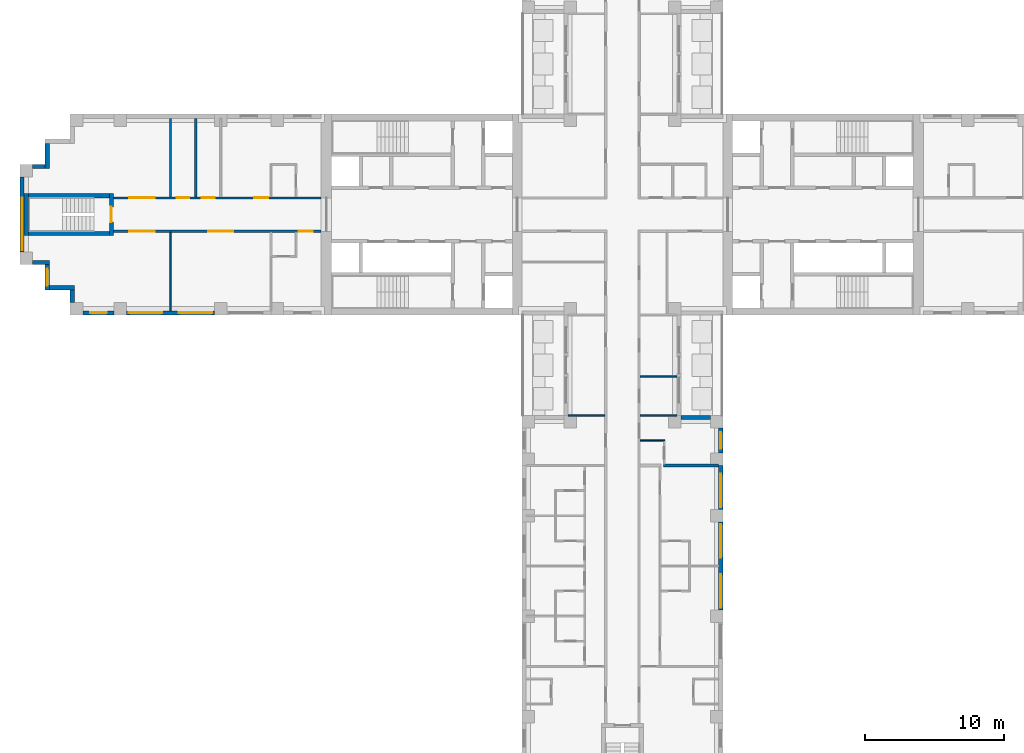
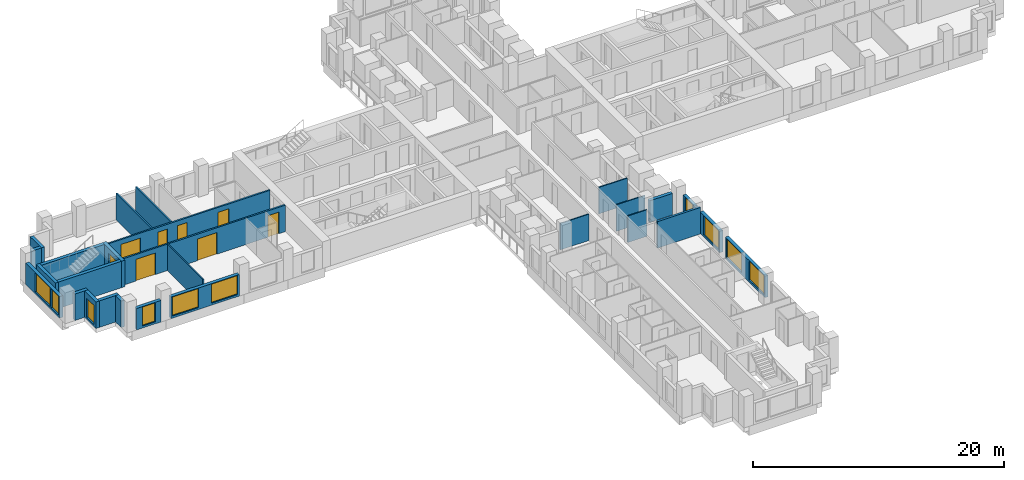
# One storey, part 5 of 13: 27 walls, 10 windows, 8 doors, 18 openings.
"""IFC4 building model written with IfcOpenShell, lengths in metres."""

import ifcopenshell
import ifcopenshell.guid

model = None  # the IFC model being written
_history = None  # IfcOwnerHistory: only IFC2X3 demands one
_inside = {}  # id of a spatial element -> (the spatial element, [elements in it])
_under = {}  # id of a project, library or spatial element -> (it, [spatial elements below it])
_declared = {}  # id of a project -> (the project, [libraries it declares])
_typed = {}  # id of a type object -> (the type object, [elements of that type])
_made_of = {}  # id of a material, layer set ... -> (it, [elements and type objects made of it])


def new_model(schema):
    """Start an empty IFC model of exactly this schema.

    Asked for "IFC4X3", IfcOpenShell would pick the latest addendum, in which some entities
    have other attributes; the version numbers below select the first issue.
    IFC2X3 requires an IfcOwnerHistory on every rooted entity: one is made here for all.
    """
    global model, _history
    if schema == "IFC4X3":
        model = ifcopenshell.file(schema_version=(4, 3, 0, 0))
    else:
        model = ifcopenshell.file(schema=schema)
    _inside.clear()
    _under.clear()
    _declared.clear()
    _typed.clear()
    _made_of.clear()
    _history = None
    if model.schema == "IFC2X3":
        org = make("IfcOrganization", Name="unknown")
        user = make(
            "IfcPersonAndOrganization",
            ThePerson=make("IfcPerson", FamilyName="unknown"),
            TheOrganization=org,
        )
        app = make(
            "IfcApplication",
            ApplicationDeveloper=org,
            Version="unknown",
            ApplicationFullName="unknown",
            ApplicationIdentifier="unknown",
        )
        _history = make(
            "IfcOwnerHistory",
            OwningUser=user,
            OwningApplication=app,
            ChangeAction="ADDED",
            CreationDate=0,
        )
    return model


def make(cls, **values):
    """One entity of the class cls with the attributes given. An attribute that is None is left unset."""
    return model.create_entity(
        cls, **{name: value for name, value in values.items() if value is not None}
    )


def rooted(cls, **values):
    """An entity with a GlobalId (a new one), such as an element, a storey or a relation."""
    return make(cls, GlobalId=ifcopenshell.guid.new(), OwnerHistory=_history, **values)


def si_unit(unit_type, name, prefix=None):
    """IfcSIUnit, for example si_unit("LENGTHUNIT", "METRE", prefix="MILLI")."""
    return make("IfcSIUnit", UnitType=unit_type, Prefix=prefix, Name=name)


def assignment(units):
    """IfcUnitAssignment: the units of a project."""
    return None if units is None else make("IfcUnitAssignment", Units=units)


def point(xyz):
    """IfcCartesianPoint."""
    return None if xyz is None else make("IfcCartesianPoint", Coordinates=xyz)


def direction(xyz):
    """IfcDirection."""
    return None if xyz is None else make("IfcDirection", DirectionRatios=xyz)


def frame(location, z_axis=None, x_axis=None):
    """IfcAxis2Placement3D, a coordinate frame: its origin and axes. An axis left out is left unset."""
    return make(
        "IfcAxis2Placement3D",
        Location=point(location),
        Axis=direction(z_axis),
        RefDirection=direction(x_axis),
    )


def frame_2d(location, x_axis=None):
    """IfcAxis2Placement2D, a coordinate frame in the plane: its origin and x axis."""
    return make(
        "IfcAxis2Placement2D", Location=point(location), RefDirection=direction(x_axis)
    )


def origin():
    """The frame at (0, 0, 0) with its axes left unset."""
    return frame((0.0, 0.0, 0.0))


def place(relative_to, where):
    """IfcLocalPlacement: puts the frame where relative to a parent placement (None: the world)."""
    return make(
        "IfcLocalPlacement", PlacementRelTo=relative_to, RelativePlacement=where
    )


def context(
    kind, dimensions, precision=None, world=None, true_north=None, identifier=None
):
    """IfcGeometricRepresentationContext, for example the 3D "Model" context."""
    return make(
        "IfcGeometricRepresentationContext",
        ContextIdentifier=identifier,
        ContextType=kind,
        CoordinateSpaceDimension=dimensions,
        Precision=precision,
        WorldCoordinateSystem=world,
        TrueNorth=true_north,
    )


def subcontext(parent, identifier, kind, view, scale=None):
    """IfcGeometricRepresentationSubContext, for example "Body" below "Model"."""
    return make(
        "IfcGeometricRepresentationSubContext",
        ContextIdentifier=identifier,
        ContextType=kind,
        ParentContext=parent,
        TargetScale=scale,
        TargetView=view,
    )


def project(units=None, contexts=None):
    """IfcProject with its units and contexts."""
    return rooted(
        "IfcProject",
        Name="project",
        RepresentationContexts=contexts,
        UnitsInContext=assignment(units),
    )


def spatial(cls, under=None, at=None, **own):
    """A site, building, storey or space (cls), placed at a placement, below another one or the project."""
    s = rooted(cls, ObjectPlacement=at, **own)
    if under is not None:
        _under.setdefault(under.id(), (under, []))[1].append(s)
    return s


def profile(cls, at=None, kind="AREA", **sizes):
    """A parametric profile (cls). Its sizes go by their IFC names, for example OverallWidth=200.0."""
    return make(cls, ProfileType=kind, Position=at, **sizes)


def rectangle(**sizes):
    """IfcRectangleProfileDef."""
    return profile("IfcRectangleProfileDef", **sizes)


def extrude(swept, where, along, depth):
    """IfcExtrudedAreaSolid: the profile swept, set in the frame where, extruded along a direction by depth."""
    return make(
        "IfcExtrudedAreaSolid",
        SweptArea=swept,
        Position=where,
        ExtrudedDirection=direction(along),
        Depth=depth,
    )


def shape(context_of_items, identifier, shape_type, items):
    """IfcShapeRepresentation: the items that make up one representation, for example the "Body"."""
    return make(
        "IfcShapeRepresentation",
        ContextOfItems=context_of_items,
        RepresentationIdentifier=identifier,
        RepresentationType=shape_type,
        Items=items,
    )


def material(Name=None, Category=None):
    """IfcMaterial."""
    return make("IfcMaterial", Name=Name, Category=Category)


def layer(
    of_material, thickness, ventilated=None, Name=None, Category=None, Priority=None
):
    """IfcMaterialLayer: one layer of a wall or slab, of a material (None: an air gap)."""
    return make(
        "IfcMaterialLayer",
        Material=of_material,
        LayerThickness=thickness,
        IsVentilated=ventilated,
        Name=Name,
        Category=Category,
        Priority=Priority,
    )


def layer_set(layers, Name=None):
    """IfcMaterialLayerSet."""
    return make("IfcMaterialLayerSet", MaterialLayers=layers, LayerSetName=Name)


def made_of(thing, what):
    """Note that an element or type object is made of a material, layer set ...; save() writes the relation."""
    if what is not None:
        _made_of.setdefault(what.id(), (what, []))[1].append(thing)
    return thing


def type_object(cls, material=None, **own):
    """A type object (cls), such as IfcWallType, which elements share."""
    return made_of(rooted(cls, **own), material)


def element(
    cls,
    number,
    at=None,
    inside=None,
    cuts=None,
    type_object=None,
    material=None,
    context=None,
    identifier="Body",
    shape_type=None,
    held_by="IfcProductDefinitionShape",
    body=None,
    shapes=None,
    **own,
):
    """One element of the class cls, such as IfcWall. Its Tag is "e" and its number.

    at: its placement. inside: the storey or other place that contains it. cuts: it is an
    opening in that element (IfcRelVoidsElement). A single representation is given by context,
    identifier, shape_type and body (its items); several are given by shapes. held_by: the class
    of the entity that holds the representations. save() writes the other relations.
    """
    e = rooted(cls, Tag="e%d" % number, ObjectPlacement=at, **own)
    if body is not None:
        shapes = [shape(context, identifier, shape_type, body)]
    if shapes is not None:
        e.Representation = make(held_by, Representations=shapes)
    if inside is not None:
        _inside.setdefault(inside.id(), (inside, []))[1].append(e)
    if cuts is not None:
        rooted(
            "IfcRelVoidsElement", RelatingBuildingElement=cuts, RelatedOpeningElement=e
        )
    if type_object is not None:
        _typed.setdefault(type_object.id(), (type_object, []))[1].append(e)
    return made_of(e, material)


def fill(opening, filler):
    """IfcRelFillsElement: the door or window that sits in an opening."""
    return rooted(
        "IfcRelFillsElement",
        RelatingOpeningElement=opening,
        RelatedBuildingElement=filler,
    )


def aggregate(whole, parts):
    """IfcRelAggregates: a whole, such as a stair, and the parts it consists of."""
    return rooted("IfcRelAggregates", RelatingObject=whole, RelatedObjects=parts)


def save(model, path):
    """Write the relations noted so far, then the file.

    IfcRelAggregates (storeys below a building ...), IfcRelContainedInSpatialStructure (elements
    in a storey), IfcRelDefinesByType, IfcRelAssociatesMaterial and IfcRelDeclares: one each for
    every whole, place, type object, material and project.
    """
    for whole, parts in _under.values():
        aggregate(whole, parts)
    for where, things in _inside.values():
        rooted(
            "IfcRelContainedInSpatialStructure",
            RelatedElements=things,
            RelatingStructure=where,
        )
    for kind, things in _typed.values():
        rooted("IfcRelDefinesByType", RelatedObjects=things, RelatingType=kind)
    for what, things in _made_of.values():
        rooted("IfcRelAssociatesMaterial", RelatedObjects=things, RelatingMaterial=what)
    for by, libraries in _declared.values():
        rooted("IfcRelDeclares", RelatingContext=by, RelatedDefinitions=libraries)
    model.write(path)


model = new_model("IFC4")

# Units and contexts
model_context = context("Model", 3, precision=1e-05, world=origin(), true_north=direction((0.0, 1.0)))
body_context = subcontext(model_context, "Body", "Model", "MODEL_VIEW")
ifc_project = project(units=[si_unit("LENGTHUNIT", "METRE"), si_unit("AREAUNIT", "SQUARE_METRE"), si_unit("VOLUMEUNIT", "CUBIC_METRE"), si_unit("PLANEANGLEUNIT", "RADIAN"), si_unit("MASSUNIT", "GRAM", prefix="KILO")], contexts=[model_context])

# Site, building, storey
site_placement = place(None, origin())
site = spatial("IfcSite", under=ifc_project, at=site_placement, CompositionType="ELEMENT")
building_placement = place(site_placement, origin())
building = spatial("IfcBuilding", under=site, at=building_placement, Name="Fustian Cross Tower", CompositionType="ELEMENT")
storey_placement = place(building_placement, frame((0.0, 0.0, 87.89990234375)))
storey = spatial("IfcBuildingStorey", under=building, at=storey_placement, Name="L27", CompositionType="ELEMENT", Elevation=87.89990234375)

# Wall, openings, doors
ifc_material_1 = material(Name="Plasterboard on steel stud", Category="steel")
ifc_layer_1 = layer(ifc_material_1, 0.14990234375)
ifc_layer_set_1 = layer_set([ifc_layer_1], Name="Plasterboard on steel stud")
wall_type_1 = type_object("IfcWallType", Name="COMPARTMENT WALL 150 EI 60", PredefinedType="PARTITIONING", material=ifc_layer_set_1)
wall_1_placement = place(storey_placement, frame((-36.5, -1.199951171875, 0.0), z_axis=(0.0, 0.0, 1.0), x_axis=(1.0, 0.0, 0.0)))
wall_1 = element("IfcWall", 1, at=wall_1_placement, inside=storey, type_object=wall_type_1, Name="Partition 1", PredefinedType="PARTITIONING", context=body_context, shape_type="SweptSolid", body=[
    extrude(rectangle(XDim=14.89990234375, YDim=0.14990234375, at=frame_2d((7.449951171875, 0.0))), origin(), (0.0, 0.0, 1.0), 2.5751953125),
])
opening_1_placement = place(wall_1_placement, frame((13.300048828125, 0.0, 0.0)))
opening_1 = element("IfcOpeningElement", 2, at=opening_1_placement, cuts=wall_1, Name="Opening D13024", PredefinedType="OPENING", context=body_context, shape_type="SweptSolid", body=[
    extrude(rectangle(XDim=1.0, YDim=2.10009765625, at=frame_2d((0.5, 1.050048828125))), frame((0.0, 0.0849609375, 0.0), z_axis=(0.0, -1.0, 0.0), x_axis=(1.0, 0.0, 0.0)), (0.0, 0.0, 1.0), 0.169921875),
])
opening_2_placement = place(wall_1_placement, frame((6.800048828125, 0.0, 0.0)))
opening_2 = element("IfcOpeningElement", 3, at=opening_2_placement, cuts=wall_1, Name="Opening D13025", PredefinedType="OPENING", context=body_context, shape_type="SweptSolid", body=[
    extrude(rectangle(XDim=1.800048828125, YDim=2.10009765625, at=frame_2d((0.89990234375, 1.050048828125))), frame((0.0, 0.0849609375, 0.0), z_axis=(0.0, -1.0, 0.0), x_axis=(1.0, 0.0, 0.0)), (0.0, 0.0, 1.0), 0.169921875),
])
opening_3_placement = place(wall_1_placement, frame((1.14990234375, 0.0, 0.0)))
opening_3 = element("IfcOpeningElement", 4, at=opening_3_placement, cuts=wall_1, Name="Opening D13026", PredefinedType="OPENING", context=body_context, shape_type="SweptSolid", body=[
    extrude(rectangle(XDim=1.800048828125, YDim=2.10009765625, at=frame_2d((0.89990234375, 1.050048828125))), frame((0.0, 0.0849609375, 0.0), z_axis=(0.0, -1.0, 0.0), x_axis=(1.0, 0.0, 0.0)), (0.0, 0.0, 1.0), 0.169921875),
])
ifc_material_2 = material(Name="Timber fire door set", Category="wood")
door_type_1 = type_object("IfcDoorType", Name="FIRE DOUBLE DOOR 1800 FD30S", OperationType="DOUBLE_DOOR_DOUBLE_SWING", PredefinedType="DOOR", material=ifc_material_2)
door_1_placement = place(opening_2_placement, origin())
door_1 = element("IfcDoor", 5, at=door_1_placement, inside=storey, type_object=door_type_1, Name="Door D13025", OperationType="DOUBLE_DOOR_DOUBLE_SWING", OverallHeight=2.10009765625, OverallWidth=1.800048828125, PredefinedType="DOOR", context=body_context, shape_type="SweptSolid", body=[
    extrude(rectangle(XDim=1.800048828125, YDim=2.10009765625, at=frame_2d((0.89990234375, 1.050048828125))), frame((0.0, 0.02490234375, 0.0), z_axis=(0.0, -1.0, 0.0), x_axis=(1.0, 0.0, 0.0)), (0.0, 0.0, 1.0), 0.050048828125),
])
fill(opening_2, door_1)
door_2_placement = place(opening_3_placement, origin())
door_2 = element("IfcDoor", 6, at=door_2_placement, inside=storey, type_object=door_type_1, Name="Door D13026", OperationType="DOUBLE_DOOR_DOUBLE_SWING", OverallHeight=2.10009765625, OverallWidth=1.800048828125, PredefinedType="DOOR", context=body_context, shape_type="SweptSolid", body=[
    extrude(rectangle(XDim=1.800048828125, YDim=2.10009765625, at=frame_2d((0.89990234375, 1.050048828125))), frame((0.0, 0.02490234375, 0.0), z_axis=(0.0, -1.0, 0.0), x_axis=(1.0, 0.0, 0.0)), (0.0, 0.0, 1.0), 0.050048828125),
])
fill(opening_3, door_2)
ifc_material_3 = material(Name="Timber fire door set", Category="wood")
door_type_2 = type_object("IfcDoorType", Name="FIRE SWING DOOR 1000 FD30S", OperationType="SINGLE_SWING_LEFT", PredefinedType="DOOR", material=ifc_material_3)
door_3_placement = place(opening_1_placement, frame((1.0, 0.0, 0.0), z_axis=(0.0, 0.0, 1.0), x_axis=(-1.0, 0.0, 0.0)))
door_3 = element("IfcDoor", 7, at=door_3_placement, inside=storey, type_object=door_type_2, Name="Door D13024", OperationType="SINGLE_SWING_RIGHT", OverallHeight=2.10009765625, OverallWidth=1.0, PredefinedType="DOOR", context=body_context, shape_type="SweptSolid", body=[
    extrude(rectangle(XDim=1.0, YDim=2.10009765625, at=frame_2d((0.5, 1.050048828125))), frame((0.0, 0.02490234375, 0.0), z_axis=(0.0, -1.0, 0.0), x_axis=(1.0, 0.0, 0.0)), (0.0, 0.0, 1.0), 0.050048828125),
])
fill(opening_1, door_3)

wall_2_placement = place(storey_placement, frame((-36.5, 1.199951171875, 0.0), z_axis=(0.0, 0.0, 1.0), x_axis=(1.0, 0.0, 0.0)))
wall_2 = element("IfcWall", 8, at=wall_2_placement, inside=storey, type_object=wall_type_1, Name="Partition 2", PredefinedType="PARTITIONING", context=body_context, shape_type="SweptSolid", body=[
    extrude(rectangle(XDim=14.89990234375, YDim=0.14990234375, at=frame_2d((7.449951171875, 0.0))), origin(), (0.0, 0.0, 1.0), 2.5751953125),
])
opening_4_placement = place(wall_2_placement, frame((10.10009765625, 0.0, 0.0)))
opening_4 = element("IfcOpeningElement", 9, at=opening_4_placement, cuts=wall_2, Name="Opening D13028", PredefinedType="OPENING", context=body_context, shape_type="SweptSolid", body=[
    extrude(rectangle(XDim=1.0, YDim=2.10009765625, at=frame_2d((0.5, 1.050048828125))), frame((0.0, 0.0849609375, 0.0), z_axis=(0.0, -1.0, 0.0), x_axis=(1.0, 0.0, 0.0)), (0.0, 0.0, 1.0), 0.169921875),
])
opening_5_placement = place(wall_2_placement, frame((6.35009765625, 0.0, 0.0)))
opening_5 = element("IfcOpeningElement", 10, at=opening_5_placement, cuts=wall_2, Name="Opening D13029", PredefinedType="OPENING", context=body_context, shape_type="SweptSolid", body=[
    extrude(rectangle(XDim=0.89990234375, YDim=2.10009765625, at=frame_2d((0.449951171875, 1.050048828125))), frame((0.0, 0.0849609375, 0.0), z_axis=(0.0, -1.0, 0.0), x_axis=(1.0, 0.0, 0.0)), (0.0, 0.0, 1.0), 0.169921875),
])
opening_6_placement = place(wall_2_placement, frame((4.550048828125, 0.0, 0.0)))
opening_6 = element("IfcOpeningElement", 11, at=opening_6_placement, cuts=wall_2, Name="Opening D13030", PredefinedType="OPENING", context=body_context, shape_type="SweptSolid", body=[
    extrude(rectangle(XDim=0.89990234375, YDim=2.10009765625, at=frame_2d((0.449951171875, 1.050048828125))), frame((0.0, 0.0849609375, 0.0), z_axis=(0.0, -1.0, 0.0), x_axis=(1.0, 0.0, 0.0)), (0.0, 0.0, 1.0), 0.169921875),
])
opening_7_placement = place(wall_2_placement, frame((1.14990234375, 0.0, 0.0)))
opening_7 = element("IfcOpeningElement", 12, at=opening_7_placement, cuts=wall_2, Name="Opening D13031", PredefinedType="OPENING", context=body_context, shape_type="SweptSolid", body=[
    extrude(rectangle(XDim=1.800048828125, YDim=2.10009765625, at=frame_2d((0.89990234375, 1.050048828125))), frame((0.0, 0.0849609375, 0.0), z_axis=(0.0, -1.0, 0.0), x_axis=(1.0, 0.0, 0.0)), (0.0, 0.0, 1.0), 0.169921875),
])
door_4_placement = place(opening_7_placement, frame((1.800048828125, 0.0, 0.0), z_axis=(0.0, 0.0, 1.0), x_axis=(-1.0, 0.0, 0.0)))
door_4 = element("IfcDoor", 13, at=door_4_placement, inside=storey, type_object=door_type_1, Name="Door D13031", OperationType="DOUBLE_DOOR_DOUBLE_SWING", OverallHeight=2.10009765625, OverallWidth=1.800048828125, PredefinedType="DOOR", context=body_context, shape_type="SweptSolid", body=[
    extrude(rectangle(XDim=1.800048828125, YDim=2.10009765625, at=frame_2d((0.89990234375, 1.050048828125))), frame((0.0, 0.02490234375, 0.0), z_axis=(0.0, -1.0, 0.0), x_axis=(1.0, 0.0, 0.0)), (0.0, 0.0, 1.0), 0.050048828125),
])
fill(opening_7, door_4)
door_5_placement = place(opening_4_placement, origin())
door_5 = element("IfcDoor", 14, at=door_5_placement, inside=storey, type_object=door_type_2, Name="Door D13028", OperationType="SINGLE_SWING_RIGHT", OverallHeight=2.10009765625, OverallWidth=1.0, PredefinedType="DOOR", context=body_context, shape_type="SweptSolid", body=[
    extrude(rectangle(XDim=1.0, YDim=2.10009765625, at=frame_2d((0.5, 1.050048828125))), frame((0.0, 0.02490234375, 0.0), z_axis=(0.0, -1.0, 0.0), x_axis=(1.0, 0.0, 0.0)), (0.0, 0.0, 1.0), 0.050048828125),
])
fill(opening_4, door_5)
ifc_material_4 = material(Name="Timber fire door set", Category="wood")
door_type_3 = type_object("IfcDoorType", Name="FIRE SWING DOOR 900 FD30S", OperationType="SINGLE_SWING_LEFT", PredefinedType="DOOR", material=ifc_material_4)
door_6_placement = place(opening_5_placement, origin())
door_6 = element("IfcDoor", 15, at=door_6_placement, inside=storey, type_object=door_type_3, Name="Door D13029", OperationType="SINGLE_SWING_RIGHT", OverallHeight=2.10009765625, OverallWidth=0.89990234375, PredefinedType="DOOR", context=body_context, shape_type="SweptSolid", body=[
    extrude(rectangle(XDim=0.89990234375, YDim=2.10009765625, at=frame_2d((0.449951171875, 1.050048828125))), frame((0.0, 0.02490234375, 0.0), z_axis=(0.0, -1.0, 0.0), x_axis=(1.0, 0.0, 0.0)), (0.0, 0.0, 1.0), 0.050048828125),
])
fill(opening_5, door_6)
door_7_placement = place(opening_6_placement, origin())
door_7 = element("IfcDoor", 16, at=door_7_placement, inside=storey, type_object=door_type_3, Name="Door D13030", OperationType="SINGLE_SWING_RIGHT", OverallHeight=2.10009765625, OverallWidth=0.89990234375, PredefinedType="DOOR", context=body_context, shape_type="SweptSolid", body=[
    extrude(rectangle(XDim=0.89990234375, YDim=2.10009765625, at=frame_2d((0.449951171875, 1.050048828125))), frame((0.0, 0.02490234375, 0.0), z_axis=(0.0, -1.0, 0.0), x_axis=(1.0, 0.0, 0.0)), (0.0, 0.0, 1.0), 0.050048828125),
])
fill(opening_6, door_7)

# Walls
for number, where, z_axis, x_axis, name in (
    (17, (-32.39990234375, 1.27490234375, 0.0), (0.0, 0.0, 1.0), (0.0, 1.0, 0.0), "Partition 4"),
    (18, (-30.60009765625, 1.27490234375, 0.0), (0.0, 0.0, 1.0), (0.0, 1.0, 0.0), "Partition 5"),
):
    element("IfcWall", number, at=place(storey_placement, frame(where, z_axis=z_axis, x_axis=x_axis)), inside=storey, type_object=wall_type_1, Name=name, PredefinedType="PARTITIONING", context=body_context, shape_type="SweptSolid", body=[
        extrude(rectangle(XDim=5.625, YDim=0.14990234375, at=frame_2d((2.8125, 0.0))), origin(), (0.0, 0.0, 1.0), 2.5751953125),
    ])
ifc_material_5 = material(Name="Plasterboard on steel stud", Category="steel")
ifc_layer_2 = layer(ifc_material_5, 0.10009765625)
ifc_layer_set_2 = layer_set([ifc_layer_2], Name="Plasterboard on steel stud")
wall_type_2 = type_object("IfcWallType", Name="PARTITION 100 STUD", PredefinedType="PARTITIONING", material=ifc_layer_set_2)
wall_3_placement = place(storey_placement, frame((-32.39990234375, -6.89990234375, 0.0), z_axis=(0.0, 0.0, 1.0), x_axis=(0.0, 1.0, 0.0)))
element("IfcWall", 19, at=wall_3_placement, inside=storey, type_object=wall_type_2, Name="Partition 3", PredefinedType="PARTITIONING", context=body_context, shape_type="SweptSolid", body=[
    extrude(rectangle(XDim=5.625, YDim=0.10009765625, at=frame_2d((2.8125, 0.0))), origin(), (0.0, 0.0, 1.0), 2.5751953125),
])
wall_4_placement = place(storey_placement, frame((-3.89990234375, -14.39990234375, 0.0), z_axis=(0.0, 0.0, 1.0), x_axis=(1.0, 0.0, 0.0)))
element("IfcWall", 20, at=wall_4_placement, inside=storey, type_object=wall_type_2, Name="Partition 31", PredefinedType="PARTITIONING", context=body_context, shape_type="SweptSolid", body=[
    extrude(rectangle(XDim=2.625, YDim=0.10009765625, at=frame_2d((1.3125, 0.0))), origin(), (0.0, 0.0, 1.0), 2.5751953125),
])
wall_5_placement = place(storey_placement, frame((1.27490234375, -16.199951171875, 0.0), z_axis=(0.0, 0.0, 1.0), x_axis=(1.0, 0.0, 0.0)))
element("IfcWall", 21, at=wall_5_placement, inside=storey, type_object=wall_type_2, Name="Partition 44", PredefinedType="PARTITIONING", context=body_context, shape_type="SweptSolid", body=[
    extrude(rectangle(XDim=1.775146484375, YDim=0.10009765625, at=frame_2d((0.8876953125, 0.0))), origin(), (0.0, 0.0, 1.0), 2.5751953125),
])
for number, where, z_axis, x_axis, name in (
    (22, (1.27490234375, -14.39990234375, 0.0), (0.0, 0.0, 1.0), (1.0, 0.0, 0.0), "Partition 45"),
    (23, (1.27490234375, -11.60009765625, 0.0), (0.0, 0.0, 1.0), (1.0, 0.0, 0.0), "Partition 46"),
):
    element("IfcWall", number, at=place(storey_placement, frame(where, z_axis=z_axis, x_axis=x_axis)), inside=storey, type_object=wall_type_2, Name=name, PredefinedType="PARTITIONING", context=body_context, shape_type="SweptSolid", body=[
        extrude(rectangle(XDim=2.625, YDim=0.10009765625, at=frame_2d((1.3125, 0.0))), origin(), (0.0, 0.0, 1.0), 2.5751953125),
    ])
ifc_material_6 = material(Name="Plasterboard on steel stud", Category="steel")
ifc_layer_3 = layer(ifc_material_6, 0.199951171875)
ifc_layer_set_3 = layer_set([ifc_layer_3], Name="Plasterboard on steel stud")
wall_type_3 = type_object("IfcWallType", Name="PARTY WALL 200 EI 60", PredefinedType="PARTITIONING", material=ifc_layer_set_3)
wall_6_placement = place(storey_placement, frame((2.949951171875, -18.0, 0.0), z_axis=(0.0, 0.0, 1.0), x_axis=(1.0, 0.0, 0.0)))
element("IfcWall", 24, at=wall_6_placement, inside=storey, type_object=wall_type_3, Name="Partition 61", PredefinedType="PARTITIONING", context=body_context, shape_type="SweptSolid", body=[
    extrude(rectangle(XDim=3.949951171875, YDim=0.199951171875, at=frame_2d((1.97509765625, 0.0))), origin(), (0.0, 0.0, 1.0), 2.5751953125),
])

# Wall, opening, door
ifc_material_7 = material(Name="Concrete C50/60", Category="concrete")
ifc_layer_4 = layer(ifc_material_7, 0.300048828125)
ifc_layer_set_4 = layer_set([ifc_layer_4], Name="Concrete C50/60")
wall_type_4 = type_object("IfcWallType", Name="STAIR ENCLOSURE WALL 300 C50/60", PredefinedType="SHEAR", material=ifc_layer_set_4)
wall_7_placement = place(storey_placement, frame((-36.64990234375, -1.5, 0.0), z_axis=(0.0, 0.0, 1.0), x_axis=(0.0, 1.0, 0.0)))
wall_7 = element("IfcWall", 25, at=wall_7_placement, inside=storey, type_object=wall_type_4, Name="Stair enclosure wall", PredefinedType="SHEAR", context=body_context, shape_type="SweptSolid", body=[
    extrude(rectangle(XDim=3.0, YDim=0.300048828125, at=frame_2d((1.5, 0.0))), origin(), (0.0, 0.0, 1.0), 2.5751953125),
])
opening_8_placement = place(wall_7_placement, frame((0.949951171875, 0.0, 0.0)))
opening_8 = element("IfcOpeningElement", 26, at=opening_8_placement, cuts=wall_7, Name="Opening CD-11-33", PredefinedType="OPENING", context=body_context, shape_type="SweptSolid", body=[
    extrude(rectangle(XDim=1.10009765625, YDim=2.10009765625, at=frame_2d((0.550048828125, 1.050048828125))), frame((0.0, 0.159912109375, 0.0), z_axis=(0.0, -1.0, 0.0), x_axis=(1.0, 0.0, 0.0)), (0.0, 0.0, 1.0), 0.320068359375),
])
ifc_material_8 = material(Name="Steel", Category="steel")
door_type_4 = type_object("IfcDoorType", Name="FIRE DOOR FD60S 1100X2100", OperationType="SINGLE_SWING_LEFT", PredefinedType="DOOR", material=ifc_material_8)
door_8_placement = place(opening_8_placement, origin())
door_8 = element("IfcDoor", 27, at=door_8_placement, inside=storey, type_object=door_type_4, Name="Core door CD-11-33", OperationType="SINGLE_SWING_LEFT", OverallHeight=2.10009765625, OverallWidth=1.10009765625, PredefinedType="DOOR", context=body_context, shape_type="SweptSolid", body=[
    extrude(rectangle(XDim=1.10009765625, YDim=2.10009765625, at=frame_2d((0.550048828125, 1.050048828125))), frame((0.0, 0.02490234375, 0.0), z_axis=(0.0, -1.0, 0.0), x_axis=(1.0, 0.0, 0.0)), (0.0, 0.0, 1.0), 0.050048828125),
])
fill(opening_8, door_8)

# Walls
wall_8_placement = place(storey_placement, frame((-42.75, -1.5, 0.0), z_axis=(0.0, 0.0, 1.0), x_axis=(0.0, 1.0, 0.0)))
element("IfcWall", 28, at=wall_8_placement, inside=storey, type_object=wall_type_4, Name="Stair enclosure wall", PredefinedType="SHEAR", context=body_context, shape_type="SweptSolid", body=[
    extrude(rectangle(XDim=3.0, YDim=0.300048828125, at=frame_2d((1.5, 0.0))), origin(), (0.0, 0.0, 1.0), 2.5751953125),
])
for number, where, z_axis, x_axis, name in (
    (29, (-36.800048828125, -1.35009765625, 0.0), (0.0, 0.0, 1.0), (-1.0, 0.0, 0.0), "Stair enclosure wall"),
    (30, (-36.800048828125, 1.35009765625, 0.0), (0.0, 0.0, 1.0), (-1.0, 0.0, 0.0), "Stair enclosure wall"),
):
    element("IfcWall", number, at=place(storey_placement, frame(where, z_axis=z_axis, x_axis=x_axis)), inside=storey, type_object=wall_type_4, Name=name, PredefinedType="SHEAR", context=body_context, shape_type="SweptSolid", body=[
        extrude(rectangle(XDim=5.800048828125, YDim=0.300048828125, at=frame_2d((2.89990234375, 0.0))), origin(), (0.0, 0.0, 1.0), 2.5751953125),
    ])
ifc_material_9 = material(Name="Dark aluminium cladding on insulated backing wall", Category="aluminium")
ifc_layer_5 = layer(ifc_material_9, 0.300048828125)
ifc_layer_set_5 = layer_set([ifc_layer_5], Name="Dark aluminium cladding on insulated backing wall")
wall_type_5 = type_object("IfcWallType", Name="XW1 EXTERNAL WALL 300", PredefinedType="SOLIDWALL", material=ifc_layer_set_5)
wall_9_placement = place(storey_placement, frame((-41.25, 5.10009765625, 0.0), z_axis=(0.0, 0.0, 1.0), x_axis=(0.0, -1.0, 0.0)))
element("IfcWall", 31, at=wall_9_placement, inside=storey, type_object=wall_type_5, Name="External wall", PredefinedType="SOLIDWALL", context=body_context, shape_type="SweptSolid", body=[
    extrude(rectangle(XDim=1.800048828125, YDim=0.300048828125, at=frame_2d((0.89990234375, 0.0))), origin(), (0.0, 0.0, 1.0), 2.5751953125),
])
wall_10_placement = place(storey_placement, frame((-41.39990234375, 3.449951171875, 0.0), z_axis=(0.0, 0.0, 1.0), x_axis=(-1.0, 0.0, 0.0)))
element("IfcWall", 32, at=wall_10_placement, inside=storey, type_object=wall_type_5, Name="External wall", PredefinedType="SOLIDWALL", context=body_context, shape_type="SweptSolid", body=[
    extrude(rectangle(XDim=0.900146484375, YDim=0.300048828125, at=frame_2d((0.4501953125, 0.0))), origin(), (0.0, 0.0, 1.0), 2.5751953125),
])

# Wall, openings, windows
wall_11_placement = place(storey_placement, frame((-43.050048828125, 2.699951171875, 0.0), z_axis=(0.0, 0.0, 1.0), x_axis=(0.0, -1.0, 0.0)))
wall_11 = element("IfcWall", 33, at=wall_11_placement, inside=storey, type_object=wall_type_5, Name="External wall", PredefinedType="SOLIDWALL", context=body_context, shape_type="SweptSolid", body=[
    extrude(rectangle(XDim=5.39990234375, YDim=0.300048828125, at=frame_2d((2.699951171875, 0.0))), origin(), (0.0, 0.0, 1.0), 2.10009765625),
])
opening_9_placement = place(wall_11_placement, frame((1.5, 0.0, 0.199951171875)))
opening_9 = element("IfcOpeningElement", 34, at=opening_9_placement, cuts=wall_11, Name="Opening WN1", PredefinedType="OPENING", context=body_context, shape_type="SweptSolid", body=[
    extrude(rectangle(XDim=2.39990234375, YDim=1.85009765625, at=frame_2d((1.199951171875, 0.925048828125))), frame((0.0, 0.159912109375, 0.0), z_axis=(0.0, -1.0, 0.0), x_axis=(1.0, 0.0, 0.0)), (0.0, 0.0, 1.0), 0.320068359375),
])
opening_10_placement = place(wall_11_placement, frame((4.050048828125, 0.0, 0.199951171875)))
opening_10 = element("IfcOpeningElement", 35, at=opening_10_placement, cuts=wall_11, Name="Opening WN3", PredefinedType="OPENING", context=body_context, shape_type="SweptSolid", body=[
    extrude(rectangle(XDim=1.199951171875, YDim=1.85009765625, at=frame_2d((0.60009765625, 0.925048828125))), frame((0.0, 0.159912109375, 0.0), z_axis=(0.0, -1.0, 0.0), x_axis=(1.0, 0.0, 0.0)), (0.0, 0.0, 1.0), 0.320068359375),
])
ifc_material_10 = material(Name="Dark anodised aluminium and double glazing", Category="aluminium")
window_type_1 = type_object("IfcWindowType", Name="WN1 WINDOW 2400X1850", PartitioningType="SINGLE_PANEL", PredefinedType="WINDOW", material=ifc_material_10)
window_1_placement = place(opening_9_placement, origin())
window_1 = element("IfcWindow", 36, at=window_1_placement, inside=storey, type_object=window_type_1, Name="Window", OverallHeight=1.85009765625, OverallWidth=2.39990234375, PartitioningType="SINGLE_PANEL", PredefinedType="WINDOW", context=body_context, shape_type="SweptSolid", body=[
    extrude(rectangle(XDim=2.39990234375, YDim=1.85009765625, at=frame_2d((1.199951171875, 0.925048828125))), frame((0.0, 0.030029296875, 0.0), z_axis=(0.0, -1.0, 0.0), x_axis=(1.0, 0.0, 0.0)), (0.0, 0.0, 1.0), 0.06005859375),
])
fill(opening_9, window_1)
ifc_material_11 = material(Name="Dark anodised aluminium and double glazing", Category="aluminium")
window_type_2 = type_object("IfcWindowType", Name="WN3 WINDOW 1200X1850", PartitioningType="SINGLE_PANEL", PredefinedType="WINDOW", material=ifc_material_11)
window_2_placement = place(opening_10_placement, origin())
window_2 = element("IfcWindow", 37, at=window_2_placement, inside=storey, type_object=window_type_2, Name="Window", OverallHeight=1.85009765625, OverallWidth=1.199951171875, PartitioningType="SINGLE_PANEL", PredefinedType="WINDOW", context=body_context, shape_type="SweptSolid", body=[
    extrude(rectangle(XDim=1.199951171875, YDim=1.85009765625, at=frame_2d((0.60009765625, 0.925048828125))), frame((0.0, 0.030029296875, 0.0), z_axis=(0.0, -1.0, 0.0), x_axis=(1.0, 0.0, 0.0)), (0.0, 0.0, 1.0), 0.06005859375),
])
fill(opening_10, window_2)

# Wall
wall_12_placement = place(storey_placement, frame((-42.300048828125, -3.449951171875, 0.0), z_axis=(0.0, 0.0, 1.0), x_axis=(1.0, 0.0, 0.0)))
element("IfcWall", 38, at=wall_12_placement, inside=storey, type_object=wall_type_5, Name="External wall", PredefinedType="SOLIDWALL", context=body_context, shape_type="SweptSolid", body=[
    extrude(rectangle(XDim=1.199951171875, YDim=0.300048828125, at=frame_2d((0.60009765625, 0.0))), origin(), (0.0, 0.0, 1.0), 2.5751953125),
])

# Wall, opening, window
wall_13_placement = place(storey_placement, frame((-41.25, -3.60009765625, 0.0), z_axis=(0.0, 0.0, 1.0), x_axis=(0.0, -1.0, 0.0)))
wall_13 = element("IfcWall", 39, at=wall_13_placement, inside=storey, type_object=wall_type_5, Name="External wall", PredefinedType="SOLIDWALL", context=body_context, shape_type="SweptSolid", body=[
    extrude(rectangle(XDim=1.7998046875, YDim=0.300048828125, at=frame_2d((0.89990234375, 0.0))), origin(), (0.0, 0.0, 1.0), 2.5751953125),
])
opening_11_placement = place(wall_13_placement, frame((0.300048828125, 0.0, 0.199951171875)))
opening_11 = element("IfcOpeningElement", 40, at=opening_11_placement, cuts=wall_13, Name="Opening WN3", PredefinedType="OPENING", context=body_context, shape_type="SweptSolid", body=[
    extrude(rectangle(XDim=1.199951171875, YDim=1.85009765625, at=frame_2d((0.60009765625, 0.925048828125))), frame((0.0, 0.159912109375, 0.0), z_axis=(0.0, -1.0, 0.0), x_axis=(1.0, 0.0, 0.0)), (0.0, 0.0, 1.0), 0.320068359375),
])
window_3_placement = place(opening_11_placement, origin())
window_3 = element("IfcWindow", 41, at=window_3_placement, inside=storey, type_object=window_type_2, Name="Window", OverallHeight=1.85009765625, OverallWidth=1.199951171875, PartitioningType="SINGLE_PANEL", PredefinedType="WINDOW", context=body_context, shape_type="SweptSolid", body=[
    extrude(rectangle(XDim=1.199951171875, YDim=1.85009765625, at=frame_2d((0.60009765625, 0.925048828125))), frame((0.0, 0.030029296875, 0.0), z_axis=(0.0, -1.0, 0.0), x_axis=(1.0, 0.0, 0.0)), (0.0, 0.0, 1.0), 0.06005859375),
])
fill(opening_11, window_3)

# Walls
wall_14_placement = place(storey_placement, frame((-41.10009765625, -5.25, 0.0), z_axis=(0.0, 0.0, 1.0), x_axis=(1.0, 0.0, 0.0)))
element("IfcWall", 42, at=wall_14_placement, inside=storey, type_object=wall_type_5, Name="External wall", PredefinedType="SOLIDWALL", context=body_context, shape_type="SweptSolid", body=[
    extrude(rectangle(XDim=1.800048828125, YDim=0.300048828125, at=frame_2d((0.89990234375, 0.0))), origin(), (0.0, 0.0, 1.0), 2.5751953125),
])
wall_15_placement = place(storey_placement, frame((-39.449951171875, -5.39990234375, 0.0), z_axis=(0.0, 0.0, 1.0), x_axis=(0.0, -1.0, 0.0)))
element("IfcWall", 43, at=wall_15_placement, inside=storey, type_object=wall_type_5, Name="External wall", PredefinedType="SOLIDWALL", context=body_context, shape_type="SweptSolid", body=[
    extrude(rectangle(XDim=0.900146484375, YDim=0.300048828125, at=frame_2d((0.4501953125, 0.0))), origin(), (0.0, 0.0, 1.0), 2.5751953125),
])

# Wall, opening, window
wall_16_placement = place(storey_placement, frame((-38.699951171875, -7.050048828125, 0.0), z_axis=(0.0, 0.0, 1.0), x_axis=(1.0, 0.0, 0.0)))
wall_16 = element("IfcWall", 44, at=wall_16_placement, inside=storey, type_object=wall_type_5, Name="External wall", PredefinedType="SOLIDWALL", context=body_context, shape_type="SweptSolid", body=[
    extrude(rectangle(XDim=2.25, YDim=0.300048828125, at=frame_2d((1.125, 0.0))), origin(), (0.0, 0.0, 1.0), 2.10009765625),
])
opening_12_placement = place(wall_16_placement, frame((0.52490234375, 0.0, 0.199951171875)))
opening_12 = element("IfcOpeningElement", 45, at=opening_12_placement, cuts=wall_16, Name="Opening WN3", PredefinedType="OPENING", context=body_context, shape_type="SweptSolid", body=[
    extrude(rectangle(XDim=1.199951171875, YDim=1.85009765625, at=frame_2d((0.60009765625, 0.925048828125))), frame((0.0, 0.159912109375, 0.0), z_axis=(0.0, -1.0, 0.0), x_axis=(1.0, 0.0, 0.0)), (0.0, 0.0, 1.0), 0.320068359375),
])
window_4_placement = place(opening_12_placement, origin())
window_4 = element("IfcWindow", 46, at=window_4_placement, inside=storey, type_object=window_type_2, Name="Window", OverallHeight=1.85009765625, OverallWidth=1.199951171875, PartitioningType="SINGLE_PANEL", PredefinedType="WINDOW", context=body_context, shape_type="SweptSolid", body=[
    extrude(rectangle(XDim=1.199951171875, YDim=1.85009765625, at=frame_2d((0.60009765625, 0.925048828125))), frame((0.0, 0.030029296875, 0.0), z_axis=(0.0, -1.0, 0.0), x_axis=(1.0, 0.0, 0.0)), (0.0, 0.0, 1.0), 0.06005859375),
])
fill(opening_12, window_4)

# Wall, openings, windows
wall_17_placement = place(storey_placement, frame((-35.550048828125, -7.050048828125, 0.0), z_axis=(0.0, 0.0, 1.0), x_axis=(1.0, 0.0, 0.0)))
wall_17 = element("IfcWall", 47, at=wall_17_placement, inside=storey, type_object=wall_type_5, Name="External wall", PredefinedType="SOLIDWALL", context=body_context, shape_type="SweptSolid", body=[
    extrude(rectangle(XDim=6.300048828125, YDim=0.300048828125, at=frame_2d((3.14990234375, 0.0))), origin(), (0.0, 0.0, 1.0), 2.10009765625),
])
opening_13_placement = place(wall_17_placement, frame((0.14990234375, 0.0, 0.199951171875)))
opening_13 = element("IfcOpeningElement", 48, at=opening_13_placement, cuts=wall_17, Name="Opening WN1", PredefinedType="OPENING", context=body_context, shape_type="SweptSolid", body=[
    extrude(rectangle(XDim=2.39990234375, YDim=1.85009765625, at=frame_2d((1.199951171875, 0.925048828125))), frame((0.0, 0.159912109375, 0.0), z_axis=(0.0, -1.0, 0.0), x_axis=(1.0, 0.0, 0.0)), (0.0, 0.0, 1.0), 0.320068359375),
])
opening_14_placement = place(wall_17_placement, frame((3.75, 0.0, 0.199951171875)))
opening_14 = element("IfcOpeningElement", 49, at=opening_14_placement, cuts=wall_17, Name="Opening WN1", PredefinedType="OPENING", context=body_context, shape_type="SweptSolid", body=[
    extrude(rectangle(XDim=2.39990234375, YDim=1.85009765625, at=frame_2d((1.199951171875, 0.925048828125))), frame((0.0, 0.159912109375, 0.0), z_axis=(0.0, -1.0, 0.0), x_axis=(1.0, 0.0, 0.0)), (0.0, 0.0, 1.0), 0.320068359375),
])
window_5_placement = place(opening_13_placement, origin())
window_5 = element("IfcWindow", 50, at=window_5_placement, inside=storey, type_object=window_type_1, Name="Window", OverallHeight=1.85009765625, OverallWidth=2.39990234375, PartitioningType="SINGLE_PANEL", PredefinedType="WINDOW", context=body_context, shape_type="SweptSolid", body=[
    extrude(rectangle(XDim=2.39990234375, YDim=1.85009765625, at=frame_2d((1.199951171875, 0.925048828125))), frame((0.0, 0.030029296875, 0.0), z_axis=(0.0, -1.0, 0.0), x_axis=(1.0, 0.0, 0.0)), (0.0, 0.0, 1.0), 0.06005859375),
])
fill(opening_13, window_5)
window_6_placement = place(opening_14_placement, origin())
window_6 = element("IfcWindow", 51, at=window_6_placement, inside=storey, type_object=window_type_1, Name="Window", OverallHeight=1.85009765625, OverallWidth=2.39990234375, PartitioningType="SINGLE_PANEL", PredefinedType="WINDOW", context=body_context, shape_type="SweptSolid", body=[
    extrude(rectangle(XDim=2.39990234375, YDim=1.85009765625, at=frame_2d((1.199951171875, 0.925048828125))), frame((0.0, 0.030029296875, 0.0), z_axis=(0.0, -1.0, 0.0), x_axis=(1.0, 0.0, 0.0)), (0.0, 0.0, 1.0), 0.06005859375),
])
fill(opening_14, window_6)

wall_18_placement = place(storey_placement, frame((7.050048828125, -28.35009765625, 0.0), z_axis=(0.0, 0.0, 1.0), x_axis=(0.0, 1.0, 0.0)))
wall_18 = element("IfcWall", 52, at=wall_18_placement, inside=storey, type_object=wall_type_5, Name="External wall", PredefinedType="SOLIDWALL", context=body_context, shape_type="SweptSolid", body=[
    extrude(rectangle(XDim=6.300048828125, YDim=0.300048828125, at=frame_2d((3.14990234375, 0.0))), origin(), (0.0, 0.0, 1.0), 2.10009765625),
])
opening_15_placement = place(wall_18_placement, frame((0.14990234375, 0.0, 0.199951171875)))
opening_15 = element("IfcOpeningElement", 53, at=opening_15_placement, cuts=wall_18, Name="Opening WN1", PredefinedType="OPENING", context=body_context, shape_type="SweptSolid", body=[
    extrude(rectangle(XDim=2.39990234375, YDim=1.85009765625, at=frame_2d((1.199951171875, 0.925048828125))), frame((0.0, 0.159912109375, 0.0), z_axis=(0.0, -1.0, 0.0), x_axis=(1.0, 0.0, 0.0)), (0.0, 0.0, 1.0), 0.320068359375),
])
opening_16_placement = place(wall_18_placement, frame((3.75, 0.0, 0.199951171875)))
opening_16 = element("IfcOpeningElement", 54, at=opening_16_placement, cuts=wall_18, Name="Opening WN1", PredefinedType="OPENING", context=body_context, shape_type="SweptSolid", body=[
    extrude(rectangle(XDim=2.39990234375, YDim=1.85009765625, at=frame_2d((1.199951171875, 0.925048828125))), frame((0.0, 0.159912109375, 0.0), z_axis=(0.0, -1.0, 0.0), x_axis=(1.0, 0.0, 0.0)), (0.0, 0.0, 1.0), 0.320068359375),
])
window_7_placement = place(opening_15_placement, origin())
window_7 = element("IfcWindow", 55, at=window_7_placement, inside=storey, type_object=window_type_1, Name="Window", OverallHeight=1.85009765625, OverallWidth=2.39990234375, PartitioningType="SINGLE_PANEL", PredefinedType="WINDOW", context=body_context, shape_type="SweptSolid", body=[
    extrude(rectangle(XDim=2.39990234375, YDim=1.85009765625, at=frame_2d((1.199951171875, 0.925048828125))), frame((0.0, 0.030029296875, 0.0), z_axis=(0.0, -1.0, 0.0), x_axis=(1.0, 0.0, 0.0)), (0.0, 0.0, 1.0), 0.06005859375),
])
fill(opening_15, window_7)
window_8_placement = place(opening_16_placement, origin())
window_8 = element("IfcWindow", 56, at=window_8_placement, inside=storey, type_object=window_type_1, Name="Window", OverallHeight=1.85009765625, OverallWidth=2.39990234375, PartitioningType="SINGLE_PANEL", PredefinedType="WINDOW", context=body_context, shape_type="SweptSolid", body=[
    extrude(rectangle(XDim=2.39990234375, YDim=1.85009765625, at=frame_2d((1.199951171875, 0.925048828125))), frame((0.0, 0.030029296875, 0.0), z_axis=(0.0, -1.0, 0.0), x_axis=(1.0, 0.0, 0.0)), (0.0, 0.0, 1.0), 0.06005859375),
])
fill(opening_16, window_8)

# Wall, opening, window
wall_19_placement = place(storey_placement, frame((7.050048828125, -21.14990234375, 0.0), z_axis=(0.0, 0.0, 1.0), x_axis=(0.0, 1.0, 0.0)))
wall_19 = element("IfcWall", 57, at=wall_19_placement, inside=storey, type_object=wall_type_5, Name="External wall", PredefinedType="SOLIDWALL", context=body_context, shape_type="SweptSolid", body=[
    extrude(rectangle(XDim=3.14990234375, YDim=0.300048828125, at=frame_2d((1.574951171875, 0.0))), origin(), (0.0, 0.0, 1.0), 2.10009765625),
])
opening_17_placement = place(wall_19_placement, frame((0.14990234375, 0.0, 0.199951171875)))
opening_17 = element("IfcOpeningElement", 58, at=opening_17_placement, cuts=wall_19, Name="Opening WN1", PredefinedType="OPENING", context=body_context, shape_type="SweptSolid", body=[
    extrude(rectangle(XDim=2.39990234375, YDim=1.85009765625, at=frame_2d((1.199951171875, 0.925048828125))), frame((0.0, 0.159912109375, 0.0), z_axis=(0.0, -1.0, 0.0), x_axis=(1.0, 0.0, 0.0)), (0.0, 0.0, 1.0), 0.320068359375),
])
window_9_placement = place(opening_17_placement, origin())
window_9 = element("IfcWindow", 59, at=window_9_placement, inside=storey, type_object=window_type_1, Name="Window", OverallHeight=1.85009765625, OverallWidth=2.39990234375, PartitioningType="SINGLE_PANEL", PredefinedType="WINDOW", context=body_context, shape_type="SweptSolid", body=[
    extrude(rectangle(XDim=2.39990234375, YDim=1.85009765625, at=frame_2d((1.199951171875, 0.925048828125))), frame((0.0, 0.030029296875, 0.0), z_axis=(0.0, -1.0, 0.0), x_axis=(1.0, 0.0, 0.0)), (0.0, 0.0, 1.0), 0.06005859375),
])
fill(opening_17, window_9)

wall_20_placement = place(storey_placement, frame((7.050048828125, -17.10009765625, 0.0), z_axis=(0.0, 0.0, 1.0), x_axis=(0.0, 1.0, 0.0)))
wall_20 = element("IfcWall", 60, at=wall_20_placement, inside=storey, type_object=wall_type_5, Name="External wall", PredefinedType="SOLIDWALL", context=body_context, shape_type="SweptSolid", body=[
    extrude(rectangle(XDim=1.800048828125, YDim=0.300048828125, at=frame_2d((0.89990234375, 0.0))), origin(), (0.0, 0.0, 1.0), 2.10009765625),
])
opening_18_placement = place(wall_20_placement, frame((0.300048828125, 0.0, 0.199951171875)))
opening_18 = element("IfcOpeningElement", 61, at=opening_18_placement, cuts=wall_20, Name="Opening WN3", PredefinedType="OPENING", context=body_context, shape_type="SweptSolid", body=[
    extrude(rectangle(XDim=1.199951171875, YDim=1.85009765625, at=frame_2d((0.60009765625, 0.925048828125))), frame((0.0, 0.159912109375, 0.0), z_axis=(0.0, -1.0, 0.0), x_axis=(1.0, 0.0, 0.0)), (0.0, 0.0, 1.0), 0.320068359375),
])
window_10_placement = place(opening_18_placement, origin())
window_10 = element("IfcWindow", 62, at=window_10_placement, inside=storey, type_object=window_type_2, Name="Window", OverallHeight=1.85009765625, OverallWidth=1.199951171875, PartitioningType="SINGLE_PANEL", PredefinedType="WINDOW", context=body_context, shape_type="SweptSolid", body=[
    extrude(rectangle(XDim=1.199951171875, YDim=1.85009765625, at=frame_2d((0.60009765625, 0.925048828125))), frame((0.0, 0.030029296875, 0.0), z_axis=(0.0, -1.0, 0.0), x_axis=(1.0, 0.0, 0.0)), (0.0, 0.0, 1.0), 0.06005859375),
])
fill(opening_18, window_10)

# Wall
wall_21_placement = place(storey_placement, frame((6.300048828125, -14.550048828125, 0.0), z_axis=(0.0, 0.0, 1.0), x_axis=(-1.0, 0.0, 0.0)))
element("IfcWall", 63, at=wall_21_placement, inside=storey, type_object=wall_type_5, Name="External wall", PredefinedType="SOLIDWALL", context=body_context, shape_type="SweptSolid", body=[
    extrude(rectangle(XDim=2.10009765625, YDim=0.300048828125, at=frame_2d((1.050048828125, 0.0))), origin(), (0.0, 0.0, 1.0), 2.10009765625),
])

save(model, "model.ifc")
